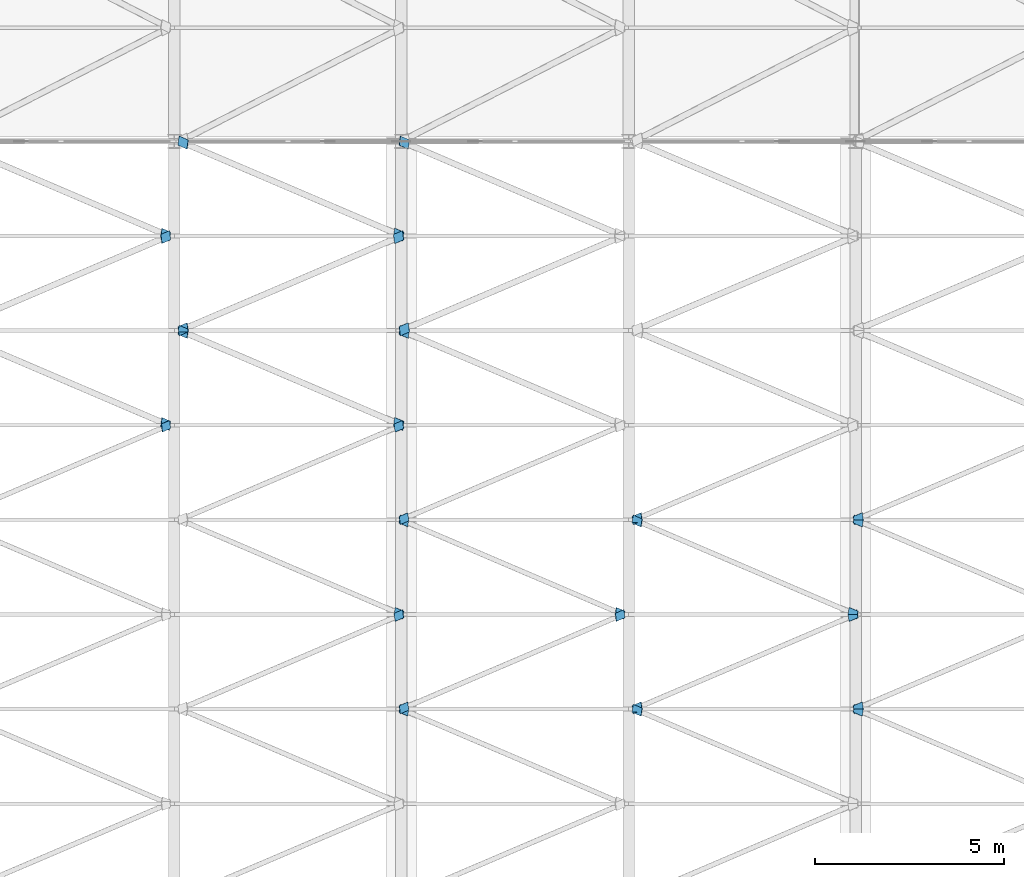
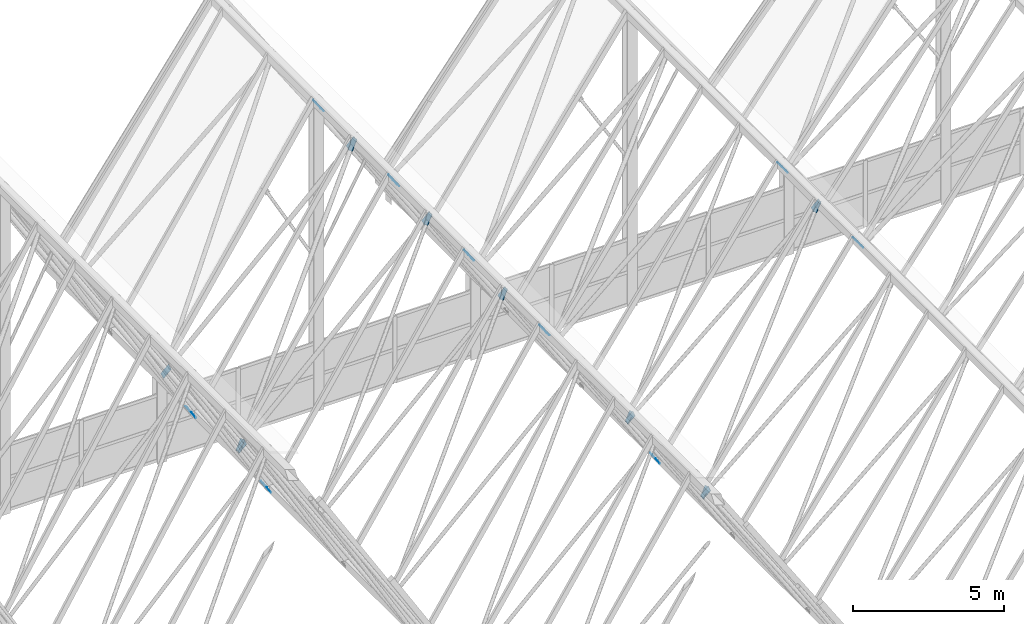
# One storey, part 425 of 483: 32 discrete accessories.
"""IFC4 building model written with IfcOpenShell, lengths in metres."""

from ifc_helpers import new_model, si_unit, direction, frame, origin, place, context, subcontext, project, spatial, polyline, outline, extrude, material, layer, layer_set, type_object, element, save


model = new_model("IFC4")

# Units and contexts
model_context = context("Model", 3, precision=1e-05, world=origin(), true_north=direction((0.0, 1.0)))
body_context = subcontext(model_context, "Body", "Model", "MODEL_VIEW")
ifc_project = project(units=[si_unit("LENGTHUNIT", "METRE"), si_unit("AREAUNIT", "SQUARE_METRE"), si_unit("VOLUMEUNIT", "CUBIC_METRE"), si_unit("PLANEANGLEUNIT", "RADIAN"), si_unit("MASSUNIT", "GRAM", prefix="KILO")], contexts=[model_context])

# Site, building, storey
site_placement = place(None, origin())
site = spatial("IfcSite", under=ifc_project, at=site_placement, CompositionType="ELEMENT")
building_placement = place(site_placement, origin())
building = spatial("IfcBuilding", under=site, at=building_placement, Name="Parallax Yard Mobility Hub", CompositionType="ELEMENT")
storey_placement = place(building_placement, frame((0.0, 0.0, 13.199951171875)))
storey = spatial("IfcBuildingStorey", under=building, at=storey_placement, Name="L04", CompositionType="ELEMENT", Elevation=13.199951171875)

# Discrete accessories
ifc_material = material(Name="Steel ASTM A36", Category="steel")
ifc_layer = layer(ifc_material, 0.011962890625)
ifc_layer_set = layer_set([ifc_layer], Name="Gusset plate PL12")
discrete_accessory_type = type_object("IfcDiscreteAccessoryType", Name="Gusset plate PL12", PredefinedType="BRACKET", material=ifc_layer_set)
discrete_accessory_1_placement = place(storey_placement, frame((63.205322265625, 37.525390625, 11.4072265625), z_axis=(0.817216414757, 0.000113800611, 0.57633091059), x_axis=(-0.559637132998, 0.239096541355, 0.793498029791)))
element("IfcDiscreteAccessory", 1, at=discrete_accessory_1_placement, inside=storey, type_object=discrete_accessory_type, Name="Gusset plate PL12 at end 2 of Plate diagonal plate F10-F11 bay 12", PredefinedType="BRACKET", context=body_context, shape_type="SweptSolid", body=[
    extrude(outline(polyline([(0.0, 0.0), (0.41967063307510005, 0.0), (0.419748606007688, 0.2195204244093797), (1.9599753546109544e-05, 0.21975748392927294), (0.0, 0.0)])), origin(), (0.0, 0.0, -1.0), 0.011962890625),
])
discrete_accessory_2_placement = place(storey_placement, frame((51.194580078125, 37.529541015625, 12.05908203125), z_axis=(0.837104809416, -9.4721445e-05, 0.547042529498), x_axis=(-0.532604607357, 0.228088646198, 0.81505085835)))
element("IfcDiscreteAccessory", 2, at=discrete_accessory_2_placement, inside=storey, type_object=discrete_accessory_type, Name="Gusset plate PL12 at end 2 of Plate diagonal plate F8-F9 bay 12", PredefinedType="BRACKET", context=body_context, shape_type="SweptSolid", body=[
    extrude(outline(polyline([(0.0, 0.0), (0.41958745546633935, 1.3877787807814457e-17), (0.41972598432320807, 0.21968973525675228), (8.498435150723627e-06, 0.21965925395969144), (0.0, 0.0)])), origin(), (0.0, 0.0, -1.0), 0.011962890625),
])
discrete_accessory_3_placement = place(storey_placement, frame((57.357666015625, 37.525390625, 3.7021484375), z_axis=(-0.817166710519, -0.000464958066, 0.576401206656), x_axis=(-0.559774062579, 0.239096466815, -0.793401461065)))
element("IfcDiscreteAccessory", 3, at=discrete_accessory_3_placement, inside=storey, type_object=discrete_accessory_type, Name="Gusset plate PL12 at end 2 of Plate diagonal plate F9-F10 bay 12", PredefinedType="BRACKET", context=body_context, shape_type="SweptSolid", body=[
    extrude(outline(polyline([(0.0, 0.0), (0.41967062718625203, 1.3877787807814457e-17), (0.4197486118976303, 0.21952041314712403), (0.00021331307911515163, 0.21980523679261565), (0.0, 0.0)])), origin(), (0.0, 0.0, -1.0), 0.011962890625),
])
discrete_accessory_4_placement = place(storey_placement, frame((63.175048828125, 37.68798828125, 11.4501953125), z_axis=(0.817216414757, -0.000113800611, 0.57633091059), x_axis=(-0.559559267154, -0.239644913639, 0.793387510558)))
element("IfcDiscreteAccessory", 4, at=discrete_accessory_4_placement, inside=storey, type_object=discrete_accessory_type, Name="Gusset plate PL12 at end 1 of Plate diagonal plate F10-F11 bay 13", PredefinedType="BRACKET", context=body_context, shape_type="SweptSolid", body=[
    extrude(outline(polyline([(0.0, 0.0), (0.41972907319877845, -1.3877787807814457e-17), (0.41977508360439614, 0.2195204334354663), (0.00010451746461155598, 0.2197574599488595), (0.0, 0.0)])), origin(), (0.0, 0.0, -1.0), 0.011962890625),
])
for number, where, z_axis, x_axis, name in (
    (5, (50.832763671875, 39.815673828125, 12.10107421875), (-0.837104809416, -9.4721445e-05, 0.547042529498), (0.532613673081, 0.228017936555, 0.815064718815), "Gusset plate PL12 at end 2 of Plate diagonal plate F7-F8 bay 13"),
    (6, (51.167236328125, 37.684326171875, 12.10107421875), (0.837104809416, 9.4721445e-05, 0.547042529498), (-0.532613673081, -0.228017936555, 0.815064718815), "Gusset plate PL12 at end 1 of Plate diagonal plate F8-F9 bay 13"),
):
    element("IfcDiscreteAccessory", number, at=place(storey_placement, frame(where, z_axis=z_axis, x_axis=x_axis)), inside=storey, type_object=discrete_accessory_type, Name=name, PredefinedType="BRACKET", context=body_context, shape_type="SweptSolid", body=[
        extrude(outline(polyline([(0.0, 0.0), (0.41971748699488454, 0.0), (0.4195630035301291, 0.2196897246169816), (-2.4450829726033185e-05, 0.21965925276324816), (0.0, 0.0)])), origin(), (0.0, 0.0, -1.0), 0.011962890625),
    ])
discrete_accessory_5_placement = place(storey_placement, frame((56.680419921875, 39.815673828125, 3.668212890625), z_axis=(0.837151551627, 0.000426998738, 0.546970837688), x_axis=(0.532485273624, 0.227980657615, -0.815159035481)))
element("IfcDiscreteAccessory", 7, at=discrete_accessory_5_placement, inside=storey, type_object=discrete_accessory_type, Name="Gusset plate PL12 at end 2 of Plate diagonal plate F8-F9 bay 13", PredefinedType="BRACKET", context=body_context, shape_type="SweptSolid", body=[
    extrude(outline(polyline([(0.0, 0.0), (0.41978647726953044, -1.3877787807814457e-17), (0.4197536040571519, 0.21965921045119582), (3.6138936512303266e-05, 0.21964319967298013), (0.0, 0.0)])), origin(), (0.0, 0.0, -1.0), 0.011962890625),
])
discrete_accessory_6_placement = place(storey_placement, frame((57.327392578125, 37.68798828125, 3.658935546875), z_axis=(-0.817166710519, 0.000464958066, 0.576401206656), x_axis=(-0.559680620735, -0.239755623166, -0.793268456409)))
element("IfcDiscreteAccessory", 8, at=discrete_accessory_6_placement, inside=storey, type_object=discrete_accessory_type, Name="Gusset plate PL12 at end 1 of Plate diagonal plate F9-F10 bay 13", PredefinedType="BRACKET", context=body_context, shape_type="SweptSolid", body=[
    extrude(outline(polyline([(0.0, 0.0), (0.41953539550227437, -1.3877787807814457e-17), (0.419606443774865, 0.21952041550170728), (-6.408669646303794e-05, 0.2198053309563326), (0.0, 0.0)])), origin(), (0.0, 0.0, -1.0), 0.011962890625),
])
discrete_accessory_7_placement = place(storey_placement, frame((62.824951171875, 39.81201171875, 11.4501953125), z_axis=(-0.817216414757, 0.000113800611, 0.57633091059), x_axis=(0.559559267154, 0.239644913639, 0.793387510558)))
element("IfcDiscreteAccessory", 9, at=discrete_accessory_7_placement, inside=storey, type_object=discrete_accessory_type, Name="Gusset plate PL12 at end 2 of Plate diagonal plate F9-F10 bay 13", PredefinedType="BRACKET", context=body_context, shape_type="SweptSolid", body=[
    extrude(outline(polyline([(0.0, 0.0), (0.41972907319877845, -1.3877787807814457e-17), (0.41977508360439614, 0.2195204334354663), (0.00010451746461155598, 0.2197574599488595), (0.0, 0.0)])), origin(), (0.0, 0.0, -1.0), 0.011962890625),
])
discrete_accessory_8_placement = place(storey_placement, frame((63.205322265625, 42.525390625, 11.4072265625), z_axis=(0.817216414757, 0.000113800611, 0.57633091059), x_axis=(-0.559637132998, 0.239096541355, 0.793498029791)))
element("IfcDiscreteAccessory", 10, at=discrete_accessory_8_placement, inside=storey, type_object=discrete_accessory_type, Name="Gusset plate PL12 at end 2 of Plate diagonal plate F10-F11 bay 14", PredefinedType="BRACKET", context=body_context, shape_type="SweptSolid", body=[
    extrude(outline(polyline([(0.0, 0.0), (0.41967063307510005, 0.0), (0.419748606007688, 0.2195204244093797), (1.9599753546109544e-05, 0.21975748392927294), (0.0, 0.0)])), origin(), (0.0, 0.0, -1.0), 0.011962890625),
])
discrete_accessory_9_placement = place(storey_placement, frame((50.805419921875, 39.970458984375, 12.05908203125), z_axis=(-0.837104809416, 9.4721445e-05, 0.547042529498), x_axis=(0.532604607357, -0.228088646198, 0.81505085835)))
element("IfcDiscreteAccessory", 11, at=discrete_accessory_9_placement, inside=storey, type_object=discrete_accessory_type, Name="Gusset plate PL12 at end 1 of Plate diagonal plate F7-F8 bay 14", PredefinedType="BRACKET", context=body_context, shape_type="SweptSolid", body=[
    extrude(outline(polyline([(0.0, 0.0), (0.41958745546633935, 1.3877787807814457e-17), (0.41972598432320807, 0.21968973525675228), (8.498435150723627e-06, 0.21965925395969144), (0.0, 0.0)])), origin(), (0.0, 0.0, -1.0), 0.011962890625),
])
discrete_accessory_10_placement = place(storey_placement, frame((56.65283203125, 39.970458984375, 3.7099609375), z_axis=(0.837151551627, -0.000426998738, 0.546970837688), x_axis=(0.53248050313, -0.228017799443, -0.815151763124)))
element("IfcDiscreteAccessory", 12, at=discrete_accessory_10_placement, inside=storey, type_object=discrete_accessory_type, Name="Gusset plate PL12 at end 1 of Plate diagonal plate F8-F9 bay 14", PredefinedType="BRACKET", context=body_context, shape_type="SweptSolid", body=[
    extrude(outline(polyline([(0.0, 0.0), (0.4197174654260176, 0.0), (0.41974195939473513, 0.2196592115453762), (-4.451756936702661e-05, 0.21964319813459596), (0.0, 0.0)])), origin(), (0.0, 0.0, -1.0), 0.011962890625),
])
discrete_accessory_11_placement = place(storey_placement, frame((51.194580078125, 42.529541015625, 12.05908203125), z_axis=(0.837104809416, -9.4721445e-05, 0.547042529498), x_axis=(-0.532604607357, 0.228088646198, 0.81505085835)))
element("IfcDiscreteAccessory", 13, at=discrete_accessory_11_placement, inside=storey, type_object=discrete_accessory_type, Name="Gusset plate PL12 at end 2 of Plate diagonal plate F8-F9 bay 14", PredefinedType="BRACKET", context=body_context, shape_type="SweptSolid", body=[
    extrude(outline(polyline([(0.0, 0.0), (0.41958745546633935, 1.3877787807814457e-17), (0.41972598432320807, 0.21968973525675228), (8.498435150723627e-06, 0.21965925395969144), (0.0, 0.0)])), origin(), (0.0, 0.0, -1.0), 0.011962890625),
])
discrete_accessory_12_placement = place(storey_placement, frame((62.794677734375, 39.974609375, 11.4072265625), z_axis=(-0.817216414757, -0.000113800611, 0.57633091059), x_axis=(0.559637132998, -0.239096541355, 0.793498029791)))
element("IfcDiscreteAccessory", 14, at=discrete_accessory_12_placement, inside=storey, type_object=discrete_accessory_type, Name="Gusset plate PL12 at end 1 of Plate diagonal plate F9-F10 bay 14", PredefinedType="BRACKET", context=body_context, shape_type="SweptSolid", body=[
    extrude(outline(polyline([(0.0, 0.0), (0.41967063307510005, 0.0), (0.419748606007688, 0.2195204244093797), (1.9599753546109544e-05, 0.21975748392927294), (0.0, 0.0)])), origin(), (0.0, 0.0, -1.0), 0.011962890625),
])
discrete_accessory_13_placement = place(storey_placement, frame((57.357666015625, 42.525390625, 3.7021484375), z_axis=(-0.817166710519, -0.000464958066, 0.576401206656), x_axis=(-0.559774062579, 0.239096466815, -0.793401461065)))
element("IfcDiscreteAccessory", 15, at=discrete_accessory_13_placement, inside=storey, type_object=discrete_accessory_type, Name="Gusset plate PL12 at end 2 of Plate diagonal plate F9-F10 bay 14", PredefinedType="BRACKET", context=body_context, shape_type="SweptSolid", body=[
    extrude(outline(polyline([(0.0, 0.0), (0.41967062718625203, 1.3877787807814457e-17), (0.4197486118976303, 0.21952041314712403), (0.00021331307911515163, 0.21980523679261565), (0.0, 0.0)])), origin(), (0.0, 0.0, -1.0), 0.011962890625),
])
discrete_accessory_14_placement = place(storey_placement, frame((63.175048828125, 42.68798828125, 11.4501953125), z_axis=(0.817216414757, -0.000113800611, 0.57633091059), x_axis=(-0.559559267154, -0.239644913639, 0.793387510558)))
element("IfcDiscreteAccessory", 16, at=discrete_accessory_14_placement, inside=storey, type_object=discrete_accessory_type, Name="Gusset plate PL12 at end 1 of Plate diagonal plate F10-F11 bay 15", PredefinedType="BRACKET", context=body_context, shape_type="SweptSolid", body=[
    extrude(outline(polyline([(0.0, 0.0), (0.41972907319877845, -1.3877787807814457e-17), (0.41977508360439614, 0.2195204334354663), (0.00010451746461155598, 0.2197574599488595), (0.0, 0.0)])), origin(), (0.0, 0.0, -1.0), 0.011962890625),
])
discrete_accessory_15_placement = place(storey_placement, frame((44.6875, 44.819091796875, 3.676025390625), z_axis=(0.854018875597, 0.000557720542, 0.520241721771), x_axis=(0.507754756906, 0.21688936589, -0.833753026863)))
element("IfcDiscreteAccessory", 17, at=discrete_accessory_15_placement, inside=storey, type_object=discrete_accessory_type, Name="Gusset plate PL12 at end 2 of Plate diagonal plate F6-F7 bay 15", PredefinedType="BRACKET", context=body_context, shape_type="SweptSolid", body=[
    extrude(outline(polyline([(0.0, 0.0), (0.41986608319760876, -1.3877787807814457e-17), (0.41971987288542956, 0.219614849759619), (5.7342672894721e-05, 0.21956969731158954), (0.0, 0.0)])), origin(), (0.0, 0.0, -1.0), 0.011962890625),
])
for number, where, z_axis, x_axis, name in (
    (18, (50.832763671875, 44.815673828125, 12.10107421875), (-0.837104809416, -9.4721445e-05, 0.547042529498), (0.532613673081, 0.228017936555, 0.815064718815), "Gusset plate PL12 at end 2 of Plate diagonal plate F7-F8 bay 15"),
    (19, (51.167236328125, 42.684326171875, 12.10107421875), (0.837104809416, 9.4721445e-05, 0.547042529498), (-0.532613673081, -0.228017936555, 0.815064718815), "Gusset plate PL12 at end 1 of Plate diagonal plate F8-F9 bay 15"),
):
    element("IfcDiscreteAccessory", number, at=place(storey_placement, frame(where, z_axis=z_axis, x_axis=x_axis)), inside=storey, type_object=discrete_accessory_type, Name=name, PredefinedType="BRACKET", context=body_context, shape_type="SweptSolid", body=[
        extrude(outline(polyline([(0.0, 0.0), (0.41971748699488454, 0.0), (0.4195630035301291, 0.2196897246169816), (-2.4450829726033185e-05, 0.21965925276324816), (0.0, 0.0)])), origin(), (0.0, 0.0, -1.0), 0.011962890625),
    ])
discrete_accessory_16_placement = place(storey_placement, frame((57.327392578125, 42.68798828125, 3.658935546875), z_axis=(-0.817166710519, 0.000464958066, 0.576401206656), x_axis=(-0.559680620735, -0.239755623166, -0.793268456409)))
element("IfcDiscreteAccessory", 20, at=discrete_accessory_16_placement, inside=storey, type_object=discrete_accessory_type, Name="Gusset plate PL12 at end 1 of Plate diagonal plate F9-F10 bay 15", PredefinedType="BRACKET", context=body_context, shape_type="SweptSolid", body=[
    extrude(outline(polyline([(0.0, 0.0), (0.41953539550227437, -1.3877787807814457e-17), (0.419606443774865, 0.21952041550170728), (-6.408669646303794e-05, 0.2198053309563326), (0.0, 0.0)])), origin(), (0.0, 0.0, -1.0), 0.011962890625),
])
discrete_accessory_17_placement = place(storey_placement, frame((44.646484375, 44.958740234375, 3.7431640625), z_axis=(0.85415450539, 0.000224511175, 0.520019259756), x_axis=(0.507642916251, -0.217231608169, -0.833732030087)))
element("IfcDiscreteAccessory", 21, at=discrete_accessory_17_placement, inside=storey, type_object=discrete_accessory_type, Name="Gusset plate PL12 at end 1 of Plate diagonal plate F6-F7 bay 16", PredefinedType="BRACKET", context=body_context, shape_type="SweptSolid", body=[
    extrude(outline(polyline([(0.0, 0.0), (0.4484252906700077, 0.0), (0.4483607543485679, 0.24834819820577445), (-0.00014414792149744504, 0.24833040379893354), (0.0, 0.0)])), origin(), (0.0, 0.0, -1.0), 0.011962890625),
])
discrete_accessory_18_placement = place(storey_placement, frame((50.788330078125, 44.962890625, 12.032958984375), z_axis=(-0.837033767538, -0.000540959891, 0.547150965788), x_axis=(0.532890896377, -0.227624060829, 0.814993607024)))
element("IfcDiscreteAccessory", 22, at=discrete_accessory_18_placement, inside=storey, type_object=discrete_accessory_type, Name="Gusset plate PL12 at end 1 of Plate diagonal plate F7-F8 bay 16", PredefinedType="BRACKET", context=body_context, shape_type="SweptSolid", body=[
    extrude(outline(polyline([(0.0, 0.0), (0.44832997651327616, 2.7755575615628914e-17), (0.44838135818353864, 0.2484777689890879), (0.00012025440235405999, 0.2484940564529436), (0.0, 0.0)])), origin(), (0.0, 0.0, -1.0), 0.011962890625),
])
discrete_accessory_19_placement = place(storey_placement, frame((45.364013671875, 47.537109375, 3.736083984375), z_axis=(-0.837033767538, -0.000540959891, 0.547150965788), x_axis=(-0.532877992062, 0.227725287398, -0.814973765869)))
element("IfcDiscreteAccessory", 23, at=discrete_accessory_19_placement, inside=storey, type_object=discrete_accessory_type, Name="Gusset plate PL12 at end 2 of Plate diagonal plate F7-F8 bay 16", PredefinedType="BRACKET", context=body_context, shape_type="SweptSolid", body=[
    extrude(outline(polyline([(0.0, 0.0), (0.4481310058861647, 0.0), (0.44835552481307284, 0.2485243799266048), (-0.00010454644368060317, 0.24844746067276932), (0.0, 0.0)])), origin(), (0.0, 0.0, -1.0), 0.011962890625),
])
discrete_accessory_20_placement = place(storey_placement, frame((51.211669921875, 47.537109375, 12.032958984375), z_axis=(0.837033767538, 0.000540959891, 0.547150965788), x_axis=(-0.532890896377, 0.227624060829, 0.814993607024)))
element("IfcDiscreteAccessory", 24, at=discrete_accessory_20_placement, inside=storey, type_object=discrete_accessory_type, Name="Gusset plate PL12 at end 2 of Plate diagonal plate F8-F9 bay 16", PredefinedType="BRACKET", context=body_context, shape_type="SweptSolid", body=[
    extrude(outline(polyline([(0.0, 0.0), (0.44832997651327616, 2.7755575615628914e-17), (0.44838135818353864, 0.2484777689890879), (0.00012025440235405999, 0.2484940564529436), (0.0, 0.0)])), origin(), (0.0, 0.0, -1.0), 0.011962890625),
])
discrete_accessory_21_placement = place(storey_placement, frame((44.674560546875, 49.798828125, 3.697265625), z_axis=(0.85415450539, -0.000224511175, 0.520019259756), x_axis=(0.50764739029, 0.217192880489, -0.833739395613)))
element("IfcDiscreteAccessory", 25, at=discrete_accessory_21_placement, inside=storey, type_object=discrete_accessory_type, Name="Gusset plate PL12 at end 2 of Plate diagonal plate F6-F7 bay 17", PredefinedType="BRACKET", context=body_context, shape_type="SweptSolid", body=[
    extrude(outline(polyline([(0.0, 0.0), (0.4485049026230614, 1.3877787807814457e-17), (0.4485595857436242, 0.24834820057078677), (0.00013429542654988524, 0.24833040932254563), (0.0, 0.0)])), origin(), (0.0, 0.0, -1.0), 0.011962890625),
])
discrete_accessory_22_placement = place(storey_placement, frame((45.333251953125, 47.704833984375, 3.688720703125), z_axis=(-0.837033767538, 0.000540959891, 0.547150965788), x_axis=(-0.532899279846, -0.227558272034, -0.815006497133)))
element("IfcDiscreteAccessory", 26, at=discrete_accessory_22_placement, inside=storey, type_object=discrete_accessory_type, Name="Gusset plate PL12 at end 1 of Plate diagonal plate F7-F8 bay 17", PredefinedType="BRACKET", context=body_context, shape_type="SweptSolid", body=[
    extrude(outline(polyline([(0.0, 0.0), (0.44846007785329556, 2.7755575615628914e-17), (0.4481929323709216, 0.24852433776180394), (6.193307645872143e-05, 0.2484474749499382), (0.0, 0.0)])), origin(), (0.0, 0.0, -1.0), 0.011962890625),
])
for number, where, z_axis, x_axis, name in (
    (27, (50.819091796875, 49.795166015625, 12.08056640625), (-0.837033767538, 0.000540959891, 0.547150965788), (0.532886386741, 0.227659441622, 0.814986673184), "Gusset plate PL12 at end 2 of Plate diagonal plate F7-F8 bay 17"),
    (28, (51.180908203125, 47.704833984375, 12.08056640625), (0.837033767538, -0.000540959891, 0.547150965788), (-0.532886386741, -0.227659441622, 0.814986673184), "Gusset plate PL12 at end 1 of Plate diagonal plate F8-F9 bay 17"),
):
    element("IfcDiscreteAccessory", number, at=place(storey_placement, frame(where, z_axis=z_axis, x_axis=x_axis)), inside=storey, type_object=discrete_accessory_type, Name=name, PredefinedType="BRACKET", context=body_context, shape_type="SweptSolid", body=[
        extrude(outline(polyline([(0.0, 0.0), (0.44826110407708525, 0.0), (0.44821875078929835, 0.2484777706920069), (-0.00011122542803169988, 0.2484940606583268), (0.0, 0.0)])), origin(), (0.0, 0.0, -1.0), 0.011962890625),
    ])
discrete_accessory_23_placement = place(storey_placement, frame((44.646484375, 49.958740234375, 3.7431640625), z_axis=(0.85415450539, 0.000224511175, 0.520019259756), x_axis=(0.507642916251, -0.217231608169, -0.833732030087)))
element("IfcDiscreteAccessory", 29, at=discrete_accessory_23_placement, inside=storey, type_object=discrete_accessory_type, Name="Gusset plate PL12 at end 1 of Plate diagonal plate F6-F7 bay 18", PredefinedType="BRACKET", context=body_context, shape_type="SweptSolid", body=[
    extrude(outline(polyline([(0.0, 0.0), (0.4484252906700077, 0.0), (0.4483607543485679, 0.24834819820577445), (-0.00014414792149744504, 0.24833040379893354), (0.0, 0.0)])), origin(), (0.0, 0.0, -1.0), 0.011962890625),
])
discrete_accessory_24_placement = place(storey_placement, frame((50.788330078125, 49.962890625, 12.032958984375), z_axis=(-0.837033767538, -0.000540959891, 0.547150965788), x_axis=(0.532890896377, -0.227624060829, 0.814993607024)))
element("IfcDiscreteAccessory", 30, at=discrete_accessory_24_placement, inside=storey, type_object=discrete_accessory_type, Name="Gusset plate PL12 at end 1 of Plate diagonal plate F7-F8 bay 18", PredefinedType="BRACKET", context=body_context, shape_type="SweptSolid", body=[
    extrude(outline(polyline([(0.0, 0.0), (0.44832997651327616, 2.7755575615628914e-17), (0.44838135818353864, 0.2484777689890879), (0.00012025440235405999, 0.2484940564529436), (0.0, 0.0)])), origin(), (0.0, 0.0, -1.0), 0.011962890625),
])
discrete_accessory_25_placement = place(storey_placement, frame((45.364013671875, 52.537109375, 3.736083984375), z_axis=(-0.837033767538, -0.000540959891, 0.547150965788), x_axis=(-0.532877992062, 0.227725287398, -0.814973765869)))
element("IfcDiscreteAccessory", 31, at=discrete_accessory_25_placement, inside=storey, type_object=discrete_accessory_type, Name="Gusset plate PL12 at end 2 of Plate diagonal plate F7-F8 bay 18", PredefinedType="BRACKET", context=body_context, shape_type="SweptSolid", body=[
    extrude(outline(polyline([(0.0, 0.0), (0.4481310058861647, 0.0), (0.44835552481307284, 0.2485243799266048), (-0.00010454644368060317, 0.24844746067276932), (0.0, 0.0)])), origin(), (0.0, 0.0, -1.0), 0.011962890625),
])
discrete_accessory_26_placement = place(storey_placement, frame((51.211669921875, 52.537109375, 12.032958984375), z_axis=(0.837033767538, 0.000540959891, 0.547150965788), x_axis=(-0.532890896377, 0.227624060829, 0.814993607024)))
element("IfcDiscreteAccessory", 32, at=discrete_accessory_26_placement, inside=storey, type_object=discrete_accessory_type, Name="Gusset plate PL12 at end 2 of Plate diagonal plate F8-F9 bay 18", PredefinedType="BRACKET", context=body_context, shape_type="SweptSolid", body=[
    extrude(outline(polyline([(0.0, 0.0), (0.44832997651327616, 2.7755575615628914e-17), (0.44838135818353864, 0.2484777689890879), (0.00012025440235405999, 0.2484940564529436), (0.0, 0.0)])), origin(), (0.0, 0.0, -1.0), 0.011962890625),
])

save(model, "model.ifc")
